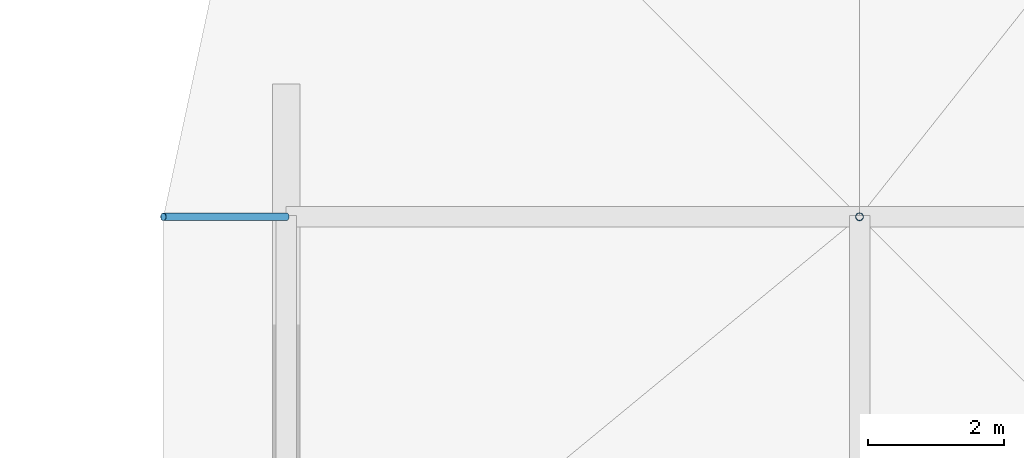
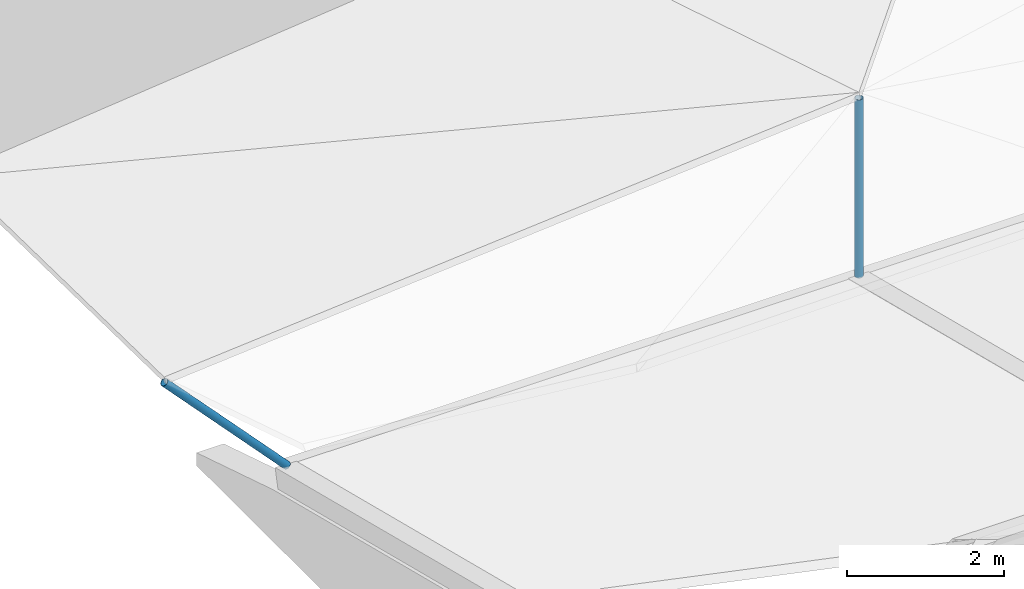
# One storey, part 63 of 111: 2 discrete accessories.
"""IFC4 building model written with IfcOpenShell, lengths in metres."""

from ifc_helpers import new_model, si_unit, direction, frame, origin, origin_2d, place, context, subcontext, project, spatial, hollow_circle, extrude, material, material_profile, profile_set, type_object, element, save


model = new_model("IFC4")

# Units and contexts
model_context = context("Model", 3, precision=1e-05, world=origin(), true_north=direction((0.0, 1.0)))
body_context = subcontext(model_context, "Body", "Model", "MODEL_VIEW")
ifc_project = project(units=[si_unit("LENGTHUNIT", "METRE"), si_unit("AREAUNIT", "SQUARE_METRE"), si_unit("VOLUMEUNIT", "CUBIC_METRE"), si_unit("PLANEANGLEUNIT", "RADIAN"), si_unit("MASSUNIT", "GRAM", prefix="KILO")], contexts=[model_context])

# Site, building, storey
site_placement = place(None, origin())
site = spatial("IfcSite", under=ifc_project, at=site_placement, CompositionType="ELEMENT")
building_placement = place(site_placement, origin())
building = spatial("IfcBuilding", under=site, at=building_placement, Name="Rain Tree Exposition and Congress Centre", CompositionType="ELEMENT")
storey_placement = place(building_placement, frame((0.0, 0.0, 19.5)))
storey = spatial("IfcBuildingStorey", under=building, at=storey_placement, Name="RF", CompositionType="ELEMENT", Elevation=19.5)

# Discrete accessories
ifc_material = material(Name="Steel S355J2H", Category="steel")
ifc_material_profile = material_profile(ifc_material, hollow_circle(Radius=0.05712890625, WallThickness=0.00439453125, at=origin_2d()), Name="CHS 114x4.5")
ifc_profile_set = profile_set([ifc_material_profile], Name="Steel S355J2H")
discrete_accessory_type = type_object("IfcDiscreteAccessoryType", Name="Roof skin post CHS 114x4.5", PredefinedType="BRACKET", material=ifc_profile_set)
discrete_accessory_1_placement = place(storey_placement, frame((8.39990234375, 193.199951171875, 1.11669921875), z_axis=(-0.683916440677, 0.0, 0.729560348547), x_axis=(0.0, -1.0, 0.0)))
element("IfcDiscreteAccessory", 1, at=discrete_accessory_1_placement, inside=storey, type_object=discrete_accessory_type, Name="Roof skin post A166", PredefinedType="BRACKET", context=body_context, shape_type="SweptSolid", body=[
    extrude(hollow_circle(Radius=0.05712890625, WallThickness=0.00439453125, at=origin_2d()), origin(), (0.0, 0.0, 1.0), 2.631591796875),
])
discrete_accessory_2_placement = place(storey_placement, frame((16.800048828125, 193.199951171875, 1.11669921875), z_axis=(0.0, 0.0, 1.0), x_axis=(1.0, 0.0, 0.0)))
element("IfcDiscreteAccessory", 2, at=discrete_accessory_2_placement, inside=storey, type_object=discrete_accessory_type, Name="Roof skin post A167", PredefinedType="BRACKET", context=body_context, shape_type="SweptSolid", body=[
    extrude(hollow_circle(Radius=0.05712890625, WallThickness=0.00439453125, at=origin_2d()), origin(), (0.0, 0.0, 1.0), 2.76806640625),
])

save(model, "model.ifc")
